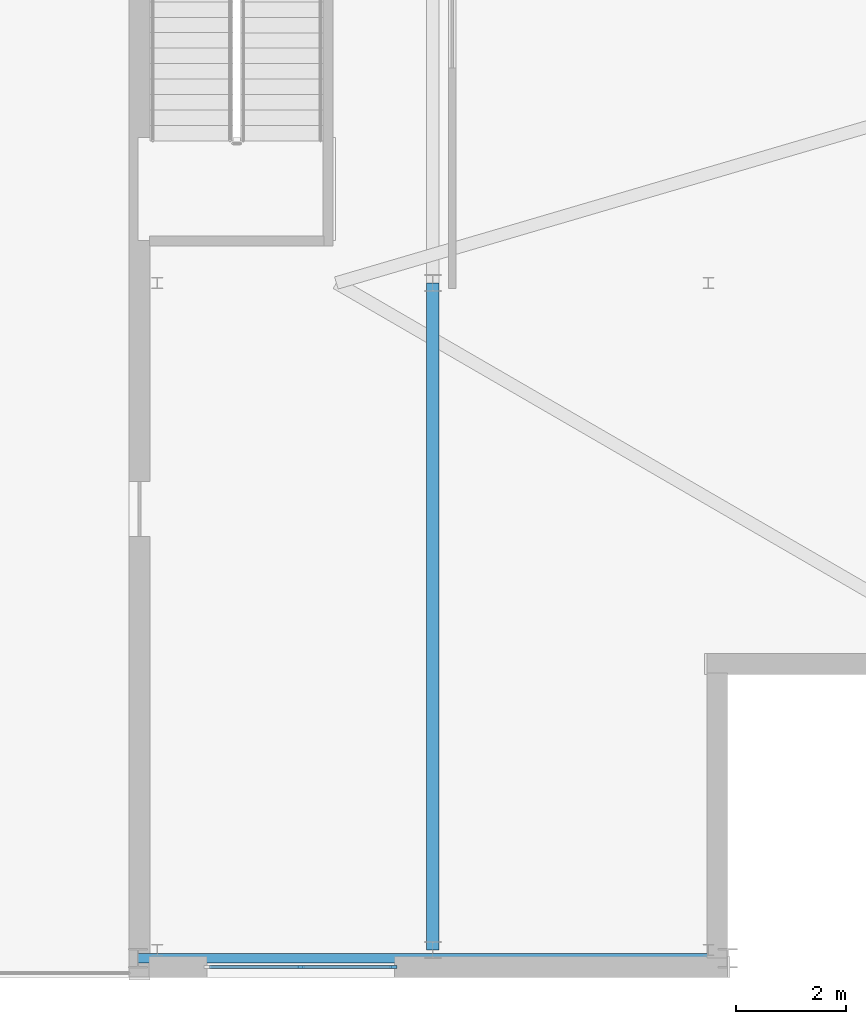
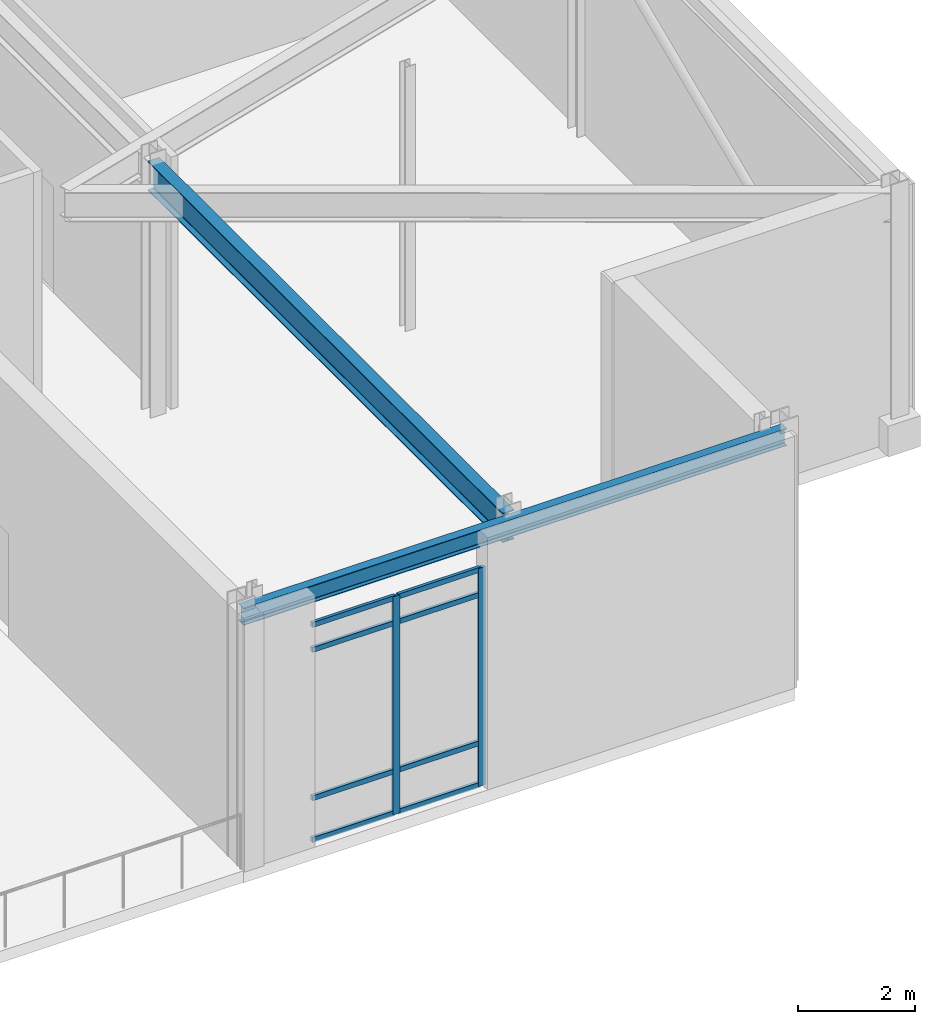
# One storey, part 8 of 16: 10 members, 2 beams, 1 element without a shape of its own.
"""IFC4 building model written with IfcOpenShell, lengths in metres."""

from ifc_helpers import new_model, si_unit, direction, frame, origin, origin_2d, place, context, subcontext, project, spatial, rectangle, i_section, extrude, material, layer, layer_set, material_profile, profile_set, type_object, element, aggregate, save


model = new_model("IFC4")

# Units and contexts
model_context = context("Model", 3, precision=1e-05, world=origin(), true_north=direction((0.0, 1.0)))
body_context = subcontext(model_context, "Body", "Model", "MODEL_VIEW")
ifc_project = project(units=[si_unit("LENGTHUNIT", "METRE"), si_unit("AREAUNIT", "SQUARE_METRE"), si_unit("VOLUMEUNIT", "CUBIC_METRE"), si_unit("PLANEANGLEUNIT", "RADIAN"), si_unit("MASSUNIT", "GRAM", prefix="KILO")], contexts=[model_context])

# Site, building, storey
site_placement = place(None, origin())
site = spatial("IfcSite", under=ifc_project, at=site_placement, CompositionType="ELEMENT")
building_placement = place(site_placement, origin())
building = spatial("IfcBuilding", under=site, at=building_placement, Name="Cairnveth Concourse Tower", CompositionType="ELEMENT")
storey_placement = place(building_placement, frame((0.0, 0.0, 324.5)))
storey = spatial("IfcBuildingStorey", under=building, at=storey_placement, Name="L89", CompositionType="ELEMENT", Elevation=324.5)

# Curtain wall, members
ifc_material_1 = material(Name="Architectural Bronze Anodised Aluminium 6063-T6", Category="aluminium")
ifc_layer = layer(ifc_material_1, 0.320068359375)
ifc_layer_set = layer_set([ifc_layer], Name="Architectural Bronze Anodised Aluminium 6063-T6")
curtain_wall_type = type_object("IfcCurtainWallType", Name="CROWN LANTERN GABLE CURTAIN WALL", PredefinedType="USERDEFINED", material=ifc_layer_set)
curtain_wall_placement = place(storey_placement, origin())
curtain_wall = element("IfcCurtainWall", 1, at=curtain_wall_placement, inside=storey, type_object=curtain_wall_type, Name="Curtain Wall CW-L89-CROWN-E7", ObjectType="SHOPFRONT GLAZING", PredefinedType="USERDEFINED")
ifc_material_profile_1 = material_profile(ifc_material_1, rectangle(XDim=0.06005859375, YDim=0.135009765625, at=origin_2d()), Name="AL-MUL-60x135")
ifc_profile_set_1 = profile_set([ifc_material_profile_1], Name="Architectural Bronze Anodised Aluminium 6063-T6")
member_type_1 = type_object("IfcMemberType", Name="BRONZE CURTAIN WALL MULLION AL-MUL-60x135", PredefinedType="MULLION", material=ifc_profile_set_1)
member_1_placement = place(storey_placement, frame((61.43505859375, 18.18994140625, 0.0), z_axis=(0.0, 0.0, 1.0), x_axis=(0.0, -1.0, 0.0)))
member_1 = element("IfcMember", 2, at=member_1_placement, type_object=member_type_1, Name="CWS6 mullion 1", PredefinedType="MULLION", context=body_context, shape_type="SweptSolid", body=[
    extrude(rectangle(XDim=0.06005859375, YDim=0.135009765625, at=origin_2d()), origin(), (0.0, 0.0, 1.0), 4.5380859375),
])
member_2_placement = place(storey_placement, frame((59.75, 18.18994140625, 0.0), z_axis=(0.0, 0.0, 1.0), x_axis=(0.0, -1.0, 0.0)))
member_2 = element("IfcMember", 3, at=member_2_placement, type_object=member_type_1, Name="CWS6 mullion 2", PredefinedType="MULLION", context=body_context, shape_type="SweptSolid", body=[
    extrude(rectangle(XDim=0.06005859375, YDim=0.135009765625, at=origin_2d()), origin(), (0.0, 0.0, 1.0), 4.5380859375),
])
ifc_material_profile_2 = material_profile(ifc_material_1, rectangle(XDim=0.06005859375, YDim=0.10498046875, at=origin_2d()), Name="AL-TRN-60x105")
ifc_profile_set_2 = profile_set([ifc_material_profile_2], Name="Architectural Bronze Anodised Aluminium 6063-T6")
member_type_2 = type_object("IfcMemberType", Name="BRONZE CURTAIN WALL TRANSOM AL-TRN-60x105", PredefinedType="USERDEFINED", material=ifc_profile_set_2)
member_3_placement = place(storey_placement, frame((61.405029296875, 18.18994140625, 0.030029296875), z_axis=(-1.0, 0.0, 0.0), x_axis=(0.0, -1.0, 0.0)))
member_3 = element("IfcMember", 4, at=member_3_placement, type_object=member_type_2, Name="CWS6 transom 1.1", ObjectType="TRANSOM", PredefinedType="USERDEFINED", context=body_context, shape_type="SweptSolid", body=[
    extrude(rectangle(XDim=0.06005859375, YDim=0.10498046875, at=origin_2d()), origin(), (0.0, 0.0, 1.0), 1.625),
])
member_4_placement = place(storey_placement, frame((61.405029296875, 18.18994140625, 0.89990234375), z_axis=(-1.0, 0.0, 0.0), x_axis=(0.0, -1.0, 0.0)))
member_4 = element("IfcMember", 5, at=member_4_placement, type_object=member_type_2, Name="CWS6 transom 1.2", ObjectType="TRANSOM", PredefinedType="USERDEFINED", context=body_context, shape_type="SweptSolid", body=[
    extrude(rectangle(XDim=0.06005859375, YDim=0.10498046875, at=origin_2d()), origin(), (0.0, 0.0, 1.0), 1.625),
])
member_5_placement = place(storey_placement, frame((61.405029296875, 18.18994140625, 3.988037109375), z_axis=(-1.0, 0.0, 0.0), x_axis=(0.0, -1.0, 0.0)))
member_5 = element("IfcMember", 6, at=member_5_placement, type_object=member_type_2, Name="CWS6 transom 1.3", ObjectType="TRANSOM", PredefinedType="USERDEFINED", context=body_context, shape_type="SweptSolid", body=[
    extrude(rectangle(XDim=0.06005859375, YDim=0.10498046875, at=origin_2d()), origin(), (0.0, 0.0, 1.0), 1.625),
])
member_6_placement = place(storey_placement, frame((61.405029296875, 18.18994140625, 4.508056640625), z_axis=(-1.0, 0.0, 0.0), x_axis=(0.0, -1.0, 0.0)))
member_6 = element("IfcMember", 7, at=member_6_placement, type_object=member_type_2, Name="CWS6 transom 1.4", ObjectType="TRANSOM", PredefinedType="USERDEFINED", context=body_context, shape_type="SweptSolid", body=[
    extrude(rectangle(XDim=0.06005859375, YDim=0.10498046875, at=origin_2d()), origin(), (0.0, 0.0, 1.0), 1.625),
])
member_7_placement = place(storey_placement, frame((59.719970703125, 18.18994140625, 0.030029296875), z_axis=(-1.0, 0.0, 0.0), x_axis=(0.0, -1.0, 0.0)))
member_7 = element("IfcMember", 8, at=member_7_placement, type_object=member_type_2, Name="CWS6 transom 2.1", ObjectType="TRANSOM", PredefinedType="USERDEFINED", context=body_context, shape_type="SweptSolid", body=[
    extrude(rectangle(XDim=0.06005859375, YDim=0.10498046875, at=origin_2d()), origin(), (0.0, 0.0, 1.0), 1.625),
])
member_8_placement = place(storey_placement, frame((59.719970703125, 18.18994140625, 0.89990234375), z_axis=(-1.0, 0.0, 0.0), x_axis=(0.0, -1.0, 0.0)))
member_8 = element("IfcMember", 9, at=member_8_placement, type_object=member_type_2, Name="CWS6 transom 2.2", ObjectType="TRANSOM", PredefinedType="USERDEFINED", context=body_context, shape_type="SweptSolid", body=[
    extrude(rectangle(XDim=0.06005859375, YDim=0.10498046875, at=origin_2d()), origin(), (0.0, 0.0, 1.0), 1.625),
])
member_9_placement = place(storey_placement, frame((59.719970703125, 18.18994140625, 3.988037109375), z_axis=(-1.0, 0.0, 0.0), x_axis=(0.0, -1.0, 0.0)))
member_9 = element("IfcMember", 10, at=member_9_placement, type_object=member_type_2, Name="CWS6 transom 2.3", ObjectType="TRANSOM", PredefinedType="USERDEFINED", context=body_context, shape_type="SweptSolid", body=[
    extrude(rectangle(XDim=0.06005859375, YDim=0.10498046875, at=origin_2d()), origin(), (0.0, 0.0, 1.0), 1.625),
])
member_10_placement = place(storey_placement, frame((59.719970703125, 18.18994140625, 4.508056640625), z_axis=(-1.0, 0.0, 0.0), x_axis=(0.0, -1.0, 0.0)))
member_10 = element("IfcMember", 11, at=member_10_placement, type_object=member_type_2, Name="CWS6 transom 2.4", ObjectType="TRANSOM", PredefinedType="USERDEFINED", context=body_context, shape_type="SweptSolid", body=[
    extrude(rectangle(XDim=0.06005859375, YDim=0.10498046875, at=origin_2d()), origin(), (0.0, 0.0, 1.0), 1.625),
])
aggregate(curtain_wall, [member_1, member_2, member_3, member_4, member_5, member_6, member_7, member_8, member_9, member_10])

# Beams
ifc_material_2 = material(Name="Steel Grade 350", Category="steel")
ifc_material_profile_3 = material_profile(ifc_material_2, i_section(OverallWidth=0.22900390625, OverallDepth=0.612060546875, WebThickness=0.011962890625, FlangeThickness=0.01953125, FilletRadius=0.013916015625, at=origin_2d()), Name="610UB125")
ifc_profile_set_3 = profile_set([ifc_material_profile_3], Name="Steel Grade 350")
beam_type_1 = type_object("IfcBeamType", Name="ZONE 4 RADIAL GIRDER 610UB125", PredefinedType="BEAM", material=ifc_profile_set_3)
beam_1_placement = place(storey_placement, frame((62.14990234375, 18.5, 4.944091796875), z_axis=(0.0, 1.0, 0.0), x_axis=(-1.0, 0.0, 0.0)))
element("IfcBeam", 12, at=beam_1_placement, inside=storey, type_object=beam_type_1, Name="Beam CB-EM1 L89", PredefinedType="BEAM", context=body_context, shape_type="SweptSolid", body=[
    extrude(i_section(OverallWidth=0.22900390625, OverallDepth=0.612060546875, WebThickness=0.011962890625, FlangeThickness=0.01953125, FilletRadius=0.013916015625, at=origin_2d()), origin(), (0.0, 0.0, 1.0), 12.10009765625),
])
ifc_material_profile_4 = material_profile(ifc_material_2, i_section(OverallWidth=0.172119140625, OverallDepth=0.35888671875, WebThickness=0.008056640625, FlangeThickness=0.012939453125, FilletRadius=0.010986328125, at=origin_2d()), Name="360UB56.7")
ifc_profile_set_4 = profile_set([ifc_material_profile_4], Name="Steel Grade 350")
beam_type_2 = type_object("IfcBeamType", Name="ZONE 4 SPANDREL BEAM 360UB56.7", PredefinedType="SPANDREL", material=ifc_profile_set_4)
beam_2_placement = place(storey_placement, frame((56.800048828125, 18.35009765625, 5.070556640625), z_axis=(1.0, 0.0, 0.0), x_axis=(0.0, 1.0, 0.0)))
element("IfcBeam", 13, at=beam_2_placement, inside=storey, type_object=beam_type_2, Name="Beam CSP-ES L89", PredefinedType="SPANDREL", context=body_context, shape_type="SweptSolid", body=[
    extrude(i_section(OverallWidth=0.172119140625, OverallDepth=0.35888671875, WebThickness=0.008056640625, FlangeThickness=0.012939453125, FilletRadius=0.010986328125, at=origin_2d()), origin(), (0.0, 0.0, 1.0), 10.699951171875),
])

save(model, "model.ifc")
